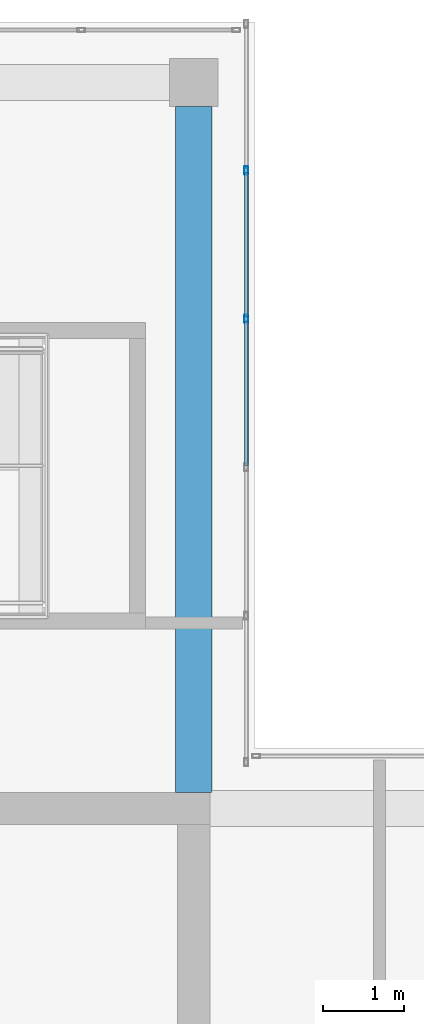
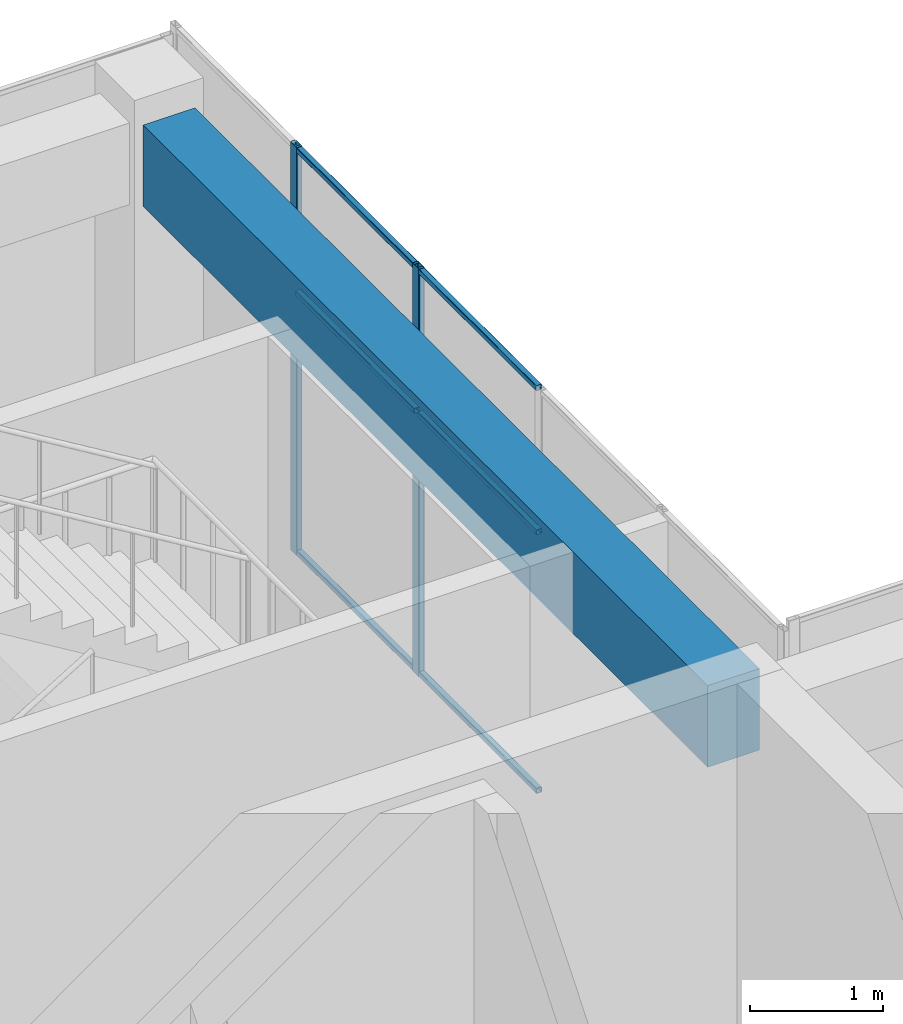
# One storey, part 24 of 32: 8 members, 1 beam, 1 element without a shape of its own.
"""IFC4 building model written with IfcOpenShell, lengths in metres."""

from ifc_helpers import new_model, si_unit, direction, frame, origin, origin_2d, place, context, subcontext, project, spatial, rectangle, hollow_rectangle, extrude, material, layer, layer_set, material_profile, profile_set, type_object, element, aggregate, save


model = new_model("IFC4")

# Units and contexts
model_context = context("Model", 3, precision=1e-05, world=origin(), true_north=direction((0.0, 1.0)))
body_context = subcontext(model_context, "Body", "Model", "MODEL_VIEW")
ifc_project = project(units=[si_unit("LENGTHUNIT", "METRE"), si_unit("AREAUNIT", "SQUARE_METRE"), si_unit("VOLUMEUNIT", "CUBIC_METRE"), si_unit("PLANEANGLEUNIT", "RADIAN"), si_unit("MASSUNIT", "GRAM", prefix="KILO")], contexts=[model_context])

# Site, building, storey
site_placement = place(None, origin())
site = spatial("IfcSite", under=ifc_project, at=site_placement, CompositionType="ELEMENT")
building_placement = place(site_placement, origin())
building = spatial("IfcBuilding", under=site, at=building_placement, Name="Tuart Plaza Theatre", CompositionType="ELEMENT")
storey_placement = place(building_placement, frame((0.0, 0.0, 41.5)))
storey = spatial("IfcBuildingStorey", under=building, at=storey_placement, Name="L10", CompositionType="ELEMENT", Elevation=41.5)

# Beam
ifc_material_1 = material(Name="Concrete N40 (40 MPa)", Category="concrete")
ifc_material_profile_1 = material_profile(ifc_material_1, rectangle(XDim=0.449951171875, YDim=0.75, at=origin_2d()), Name="BEAM 450x750 Concrete N40 (40 MPa)")
ifc_profile_set_1 = profile_set([ifc_material_profile_1], Name="Concrete N40 (40 MPa)")
beam_type = type_object("IfcBeamType", Name="BEAM 450x750 Concrete N40 (40 MPa)", PredefinedType="BEAM", material=ifc_profile_set_1)
beam_placement = place(storey_placement, frame((141.0, 83.199951171875, 3.375), z_axis=(0.0, 1.0, 0.0), x_axis=(-1.0, 0.0, 0.0)))
element("IfcBeam", 1, at=beam_placement, inside=storey, type_object=beam_type, Name="RB305", PredefinedType="BEAM", context=body_context, shape_type="SweptSolid", body=[
    extrude(rectangle(XDim=0.449951171875, YDim=0.75, at=origin_2d()), origin(), (0.0, 0.0, 1.0), 8.5),
])

# Curtain wall, members
ifc_material_2 = material(Name="Aluminium and glass", Category="aluminium")
ifc_layer = layer(ifc_material_2, 0.10009765625)
ifc_layer_set = layer_set([ifc_layer], Name="CURTAIN WALL 2000 module")
curtain_wall_type = type_object("IfcCurtainWallType", Name="CURTAIN WALL 2000 module", PredefinedType="NOTDEFINED", material=ifc_layer_set)
curtain_wall_placement = place(storey_placement, origin())
curtain_wall = element("IfcCurtainWall", 2, at=curtain_wall_placement, inside=storey, type_object=curtain_wall_type, Name="CW104", PredefinedType="NOTDEFINED")
ifc_material_3 = material(Name="Aluminium 6063-T5", Category="aluminium")
ifc_material_profile_2 = material_profile(ifc_material_3, hollow_rectangle(XDim=0.050048828125, YDim=0.10009765625, WallThickness=0.00390625, InnerFilletRadius=0.00390625, OuterFilletRadius=0.008056640625, at=origin_2d()), Name="RHS 100x50x4")
ifc_profile_set_2 = profile_set([ifc_material_profile_2], Name="Aluminium 6063-T5")
member_type_1 = type_object("IfcMemberType", Name="MULLION RHS 100x50x4", PredefinedType="MULLION", material=ifc_profile_set_2)
member_1_placement = place(storey_placement, frame((141.64990234375, 89.070068359375, 0.0), z_axis=(0.0, 0.0, 1.0), x_axis=(-1.0, 0.0, 0.0)))
member_1 = element("IfcMember", 3, at=member_1_placement, type_object=member_type_1, Name="CW104 mullion 4", PredefinedType="MULLION", context=body_context, shape_type="SweptSolid", body=[
    extrude(hollow_rectangle(XDim=0.050048828125, YDim=0.10009765625, WallThickness=0.00390625, InnerFilletRadius=0.00390625, OuterFilletRadius=0.008056640625, at=origin_2d()), origin(), (0.0, 0.0, 1.0), 3.75),
])
member_2_placement = place(storey_placement, frame((141.64990234375, 90.909912109375, 0.0), z_axis=(0.0, 0.0, 1.0), x_axis=(-1.0, 0.0, 0.0)))
member_2 = element("IfcMember", 4, at=member_2_placement, type_object=member_type_1, Name="CW104 mullion 5", PredefinedType="MULLION", context=body_context, shape_type="SweptSolid", body=[
    extrude(hollow_rectangle(XDim=0.050048828125, YDim=0.10009765625, WallThickness=0.00390625, InnerFilletRadius=0.00390625, OuterFilletRadius=0.008056640625, at=origin_2d()), origin(), (0.0, 0.0, 1.0), 3.75),
])
ifc_material_4 = material(Name="Aluminium 6063-T5", Category="aluminium")
ifc_material_profile_3 = material_profile(ifc_material_4, hollow_rectangle(XDim=0.050048828125, YDim=0.050048828125, WallThickness=0.00390625, InnerFilletRadius=0.00390625, OuterFilletRadius=0.008056640625, at=origin_2d()), Name="RHS 50x50x4")
ifc_profile_set_3 = profile_set([ifc_material_profile_3], Name="Aluminium 6063-T5")
member_type_2 = type_object("IfcMemberType", Name="TRANSOM RHS 50x50x4", PredefinedType="USERDEFINED", material=ifc_profile_set_3)
member_3_placement = place(storey_placement, frame((141.64990234375, 87.2548828125, 0.02490234375), z_axis=(0.0, 1.0, 0.0), x_axis=(-1.0, 0.0, 0.0)))
member_3 = element("IfcMember", 5, at=member_3_placement, type_object=member_type_2, Name="CW104 transom 3.1", ObjectType="TRANSOM", PredefinedType="USERDEFINED", context=body_context, shape_type="SweptSolid", body=[
    extrude(hollow_rectangle(XDim=0.050048828125, YDim=0.050048828125, WallThickness=0.00390625, InnerFilletRadius=0.00390625, OuterFilletRadius=0.008056640625, at=origin_2d()), origin(), (0.0, 0.0, 1.0), 1.7900390625),
])
member_4_placement = place(storey_placement, frame((141.64990234375, 87.2548828125, 2.39990234375), z_axis=(0.0, 1.0, 0.0), x_axis=(-1.0, 0.0, 0.0)))
member_4 = element("IfcMember", 6, at=member_4_placement, type_object=member_type_2, Name="CW104 transom 3.2", ObjectType="TRANSOM", PredefinedType="USERDEFINED", context=body_context, shape_type="SweptSolid", body=[
    extrude(hollow_rectangle(XDim=0.050048828125, YDim=0.050048828125, WallThickness=0.00390625, InnerFilletRadius=0.00390625, OuterFilletRadius=0.008056640625, at=origin_2d()), origin(), (0.0, 0.0, 1.0), 1.7900390625),
])
member_5_placement = place(storey_placement, frame((141.64990234375, 87.2548828125, 3.72509765625), z_axis=(0.0, 1.0, 0.0), x_axis=(-1.0, 0.0, 0.0)))
member_5 = element("IfcMember", 7, at=member_5_placement, type_object=member_type_2, Name="CW104 transom 3.3", ObjectType="TRANSOM", PredefinedType="USERDEFINED", context=body_context, shape_type="SweptSolid", body=[
    extrude(hollow_rectangle(XDim=0.050048828125, YDim=0.050048828125, WallThickness=0.00390625, InnerFilletRadius=0.00390625, OuterFilletRadius=0.008056640625, at=origin_2d()), origin(), (0.0, 0.0, 1.0), 1.7900390625),
])
member_6_placement = place(storey_placement, frame((141.64990234375, 89.094970703125, 0.02490234375), z_axis=(0.0, 1.0, 0.0), x_axis=(-1.0, 0.0, 0.0)))
member_6 = element("IfcMember", 8, at=member_6_placement, type_object=member_type_2, Name="CW104 transom 4.1", ObjectType="TRANSOM", PredefinedType="USERDEFINED", context=body_context, shape_type="SweptSolid", body=[
    extrude(hollow_rectangle(XDim=0.050048828125, YDim=0.050048828125, WallThickness=0.00390625, InnerFilletRadius=0.00390625, OuterFilletRadius=0.008056640625, at=origin_2d()), origin(), (0.0, 0.0, 1.0), 1.7900390625),
])
member_7_placement = place(storey_placement, frame((141.64990234375, 89.094970703125, 2.39990234375), z_axis=(0.0, 1.0, 0.0), x_axis=(-1.0, 0.0, 0.0)))
member_7 = element("IfcMember", 9, at=member_7_placement, type_object=member_type_2, Name="CW104 transom 4.2", ObjectType="TRANSOM", PredefinedType="USERDEFINED", context=body_context, shape_type="SweptSolid", body=[
    extrude(hollow_rectangle(XDim=0.050048828125, YDim=0.050048828125, WallThickness=0.00390625, InnerFilletRadius=0.00390625, OuterFilletRadius=0.008056640625, at=origin_2d()), origin(), (0.0, 0.0, 1.0), 1.7900390625),
])
member_8_placement = place(storey_placement, frame((141.64990234375, 89.094970703125, 3.72509765625), z_axis=(0.0, 1.0, 0.0), x_axis=(-1.0, 0.0, 0.0)))
member_8 = element("IfcMember", 10, at=member_8_placement, type_object=member_type_2, Name="CW104 transom 4.3", ObjectType="TRANSOM", PredefinedType="USERDEFINED", context=body_context, shape_type="SweptSolid", body=[
    extrude(hollow_rectangle(XDim=0.050048828125, YDim=0.050048828125, WallThickness=0.00390625, InnerFilletRadius=0.00390625, OuterFilletRadius=0.008056640625, at=origin_2d()), origin(), (0.0, 0.0, 1.0), 1.7900390625),
])
aggregate(curtain_wall, [member_1, member_2, member_3, member_4, member_5, member_6, member_7, member_8])

save(model, "model.ifc")
